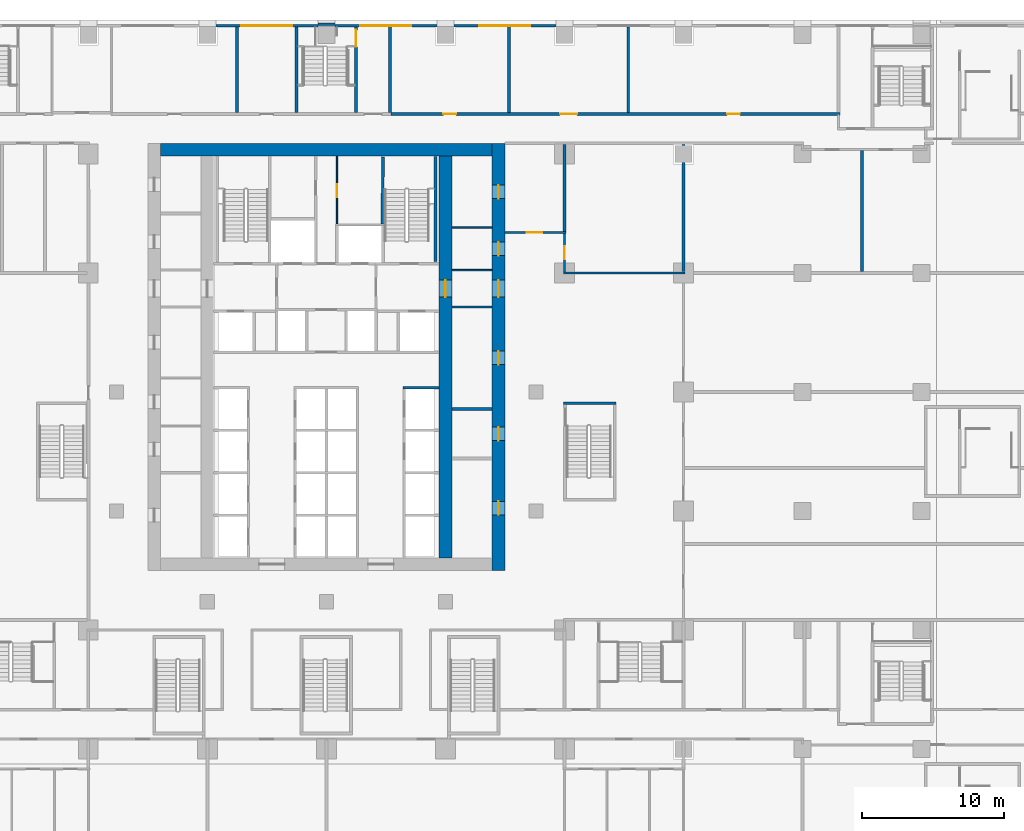
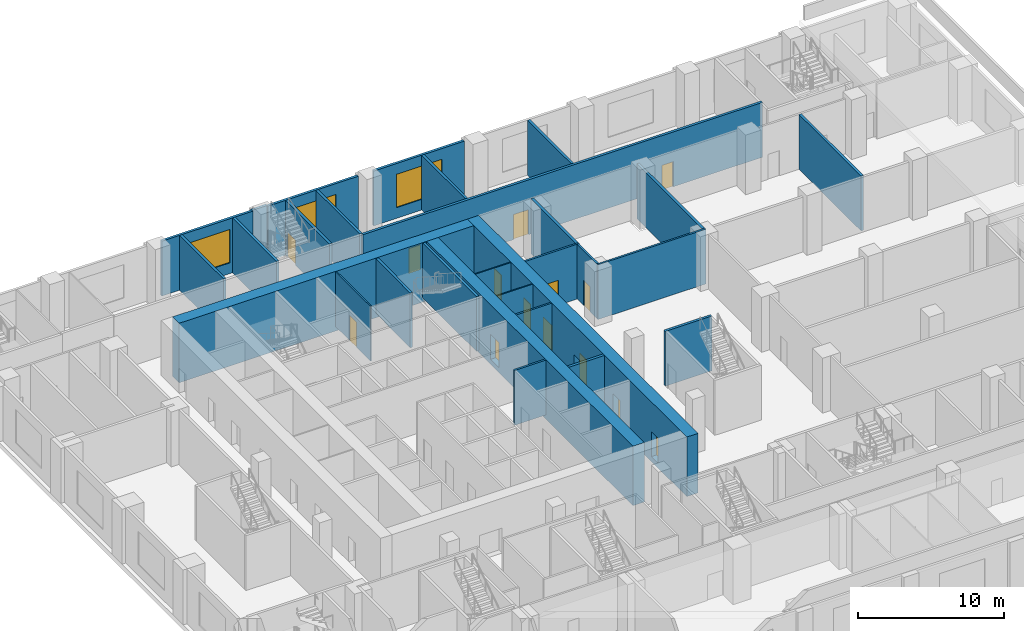
# One storey, part 9 of 23: 29 walls, 14 doors, 3 windows, 17 openings.
"""IFC4 building model written with IfcOpenShell, lengths in metres."""

from ifc_helpers import new_model, si_unit, direction, frame, frame_2d, origin, place, context, subcontext, project, spatial, rectangle, extrude, material, layer, layer_set, type_object, element, fill, save


model = new_model("IFC4")

# Units and contexts
model_context = context("Model", 3, precision=1e-05, world=origin(), true_north=direction((0.0, 1.0)))
body_context = subcontext(model_context, "Body", "Model", "MODEL_VIEW")
ifc_project = project(units=[si_unit("LENGTHUNIT", "METRE"), si_unit("AREAUNIT", "SQUARE_METRE"), si_unit("VOLUMEUNIT", "CUBIC_METRE"), si_unit("PLANEANGLEUNIT", "RADIAN"), si_unit("MASSUNIT", "GRAM", prefix="KILO")], contexts=[model_context])

# Site, building, storey
site_placement = place(None, origin())
site = spatial("IfcSite", under=ifc_project, at=site_placement, CompositionType="ELEMENT")
building_placement = place(site_placement, origin())
building = spatial("IfcBuilding", under=site, at=building_placement, Name="Vermilion Ogive Tower", CompositionType="ELEMENT")
storey_placement = place(building_placement, frame((0.0, 0.0, 20.0)))
storey = spatial("IfcBuildingStorey", under=building, at=storey_placement, Name="L03", CompositionType="ELEMENT", Elevation=20.0)

# Wall, openings, doors
ifc_material_1 = material(Name="Concrete B80", Category="concrete")
ifc_layer_1 = layer(ifc_material_1, 0.89990234375)
ifc_layer_set_1 = layer_set([ifc_layer_1], Name="Core wall 900 B80")
wall_type_1 = type_object("IfcWallType", Name="Core wall 900 B80", PredefinedType="SHEAR", material=ifc_layer_set_1)
wall_1_placement = place(storey_placement, frame((12.14990234375, -8.39990234375, -0.39990234375), z_axis=(0.0, 0.0, 1.0), x_axis=(0.0, 1.0, 0.0)))
wall_1 = element("IfcWall", 1, at=wall_1_placement, inside=storey, type_object=wall_type_1, Name="L03-CORE-E", PredefinedType="SHEAR", context=body_context, shape_type="SweptSolid", body=[
    extrude(rectangle(XDim=30.14990234375, YDim=0.89990234375, at=frame_2d((15.074951171875, 0.0))), origin(), (0.0, 0.0, 1.0), 5.0),
])
opening_1_placement = place(wall_1_placement, frame((3.925048828125, 0.0, 0.39990234375)))
opening_1 = element("IfcOpeningElement", 2, at=opening_1_placement, cuts=wall_1, Name="Opening DAJ018", PredefinedType="OPENING", context=body_context, shape_type="SweptSolid", body=[
    extrude(rectangle(XDim=0.949951171875, YDim=2.10009765625, at=frame_2d((0.47509765625, 1.050048828125))), frame((0.0, 0.4599609375, 0.0), z_axis=(0.0, -1.0, 0.0), x_axis=(1.0, 0.0, 0.0)), (0.0, 0.0, 1.0), 0.919921875),
])
opening_2_placement = place(wall_1_placement, frame((9.175048828125, 0.0, 0.39990234375)))
opening_2 = element("IfcOpeningElement", 3, at=opening_2_placement, cuts=wall_1, Name="Opening DAJ019", PredefinedType="OPENING", context=body_context, shape_type="SweptSolid", body=[
    extrude(rectangle(XDim=0.949951171875, YDim=2.10009765625, at=frame_2d((0.47509765625, 1.050048828125))), frame((0.0, 0.4599609375, 0.0), z_axis=(0.0, -1.0, 0.0), x_axis=(1.0, 0.0, 0.0)), (0.0, 0.0, 1.0), 0.919921875),
])
opening_3_placement = place(wall_1_placement, frame((14.52490234375, 0.0, 0.39990234375)))
opening_3 = element("IfcOpeningElement", 4, at=opening_3_placement, cuts=wall_1, Name="Opening DAJ020", PredefinedType="OPENING", context=body_context, shape_type="SweptSolid", body=[
    extrude(rectangle(XDim=0.949951171875, YDim=2.10009765625, at=frame_2d((0.47509765625, 1.050048828125))), frame((0.0, 0.4599609375, 0.0), z_axis=(0.0, -1.0, 0.0), x_axis=(1.0, 0.0, 0.0)), (0.0, 0.0, 1.0), 0.919921875),
])
opening_4_placement = place(wall_1_placement, frame((22.22509765625, 0.0, 0.39990234375)))
opening_4 = element("IfcOpeningElement", 5, at=opening_4_placement, cuts=wall_1, Name="Opening DAJ021", PredefinedType="OPENING", context=body_context, shape_type="SweptSolid", body=[
    extrude(rectangle(XDim=0.949951171875, YDim=2.10009765625, at=frame_2d((0.47509765625, 1.050048828125))), frame((0.0, 0.4599609375, 0.0), z_axis=(0.0, -1.0, 0.0), x_axis=(1.0, 0.0, 0.0)), (0.0, 0.0, 1.0), 0.919921875),
])
opening_5_placement = place(wall_1_placement, frame((26.25, 0.0, 0.39990234375)))
opening_5 = element("IfcOpeningElement", 6, at=opening_5_placement, cuts=wall_1, Name="Opening DAJ022", PredefinedType="OPENING", context=body_context, shape_type="SweptSolid", body=[
    extrude(rectangle(XDim=0.949951171875, YDim=2.10009765625, at=frame_2d((0.47509765625, 1.050048828125))), frame((0.0, 0.4599609375, 0.0), z_axis=(0.0, -1.0, 0.0), x_axis=(1.0, 0.0, 0.0)), (0.0, 0.0, 1.0), 0.919921875),
])
opening_6_placement = place(wall_1_placement, frame((19.300048828125, 0.0, 0.39990234375)))
opening_6 = element("IfcOpeningElement", 7, at=opening_6_placement, cuts=wall_1, Name="Opening DBA004", PredefinedType="OPENING", context=body_context, shape_type="SweptSolid", body=[
    extrude(rectangle(XDim=1.199951171875, YDim=2.10009765625, at=frame_2d((0.60009765625, 1.050048828125))), frame((0.0, 0.4599609375, 0.0), z_axis=(0.0, -1.0, 0.0), x_axis=(1.0, 0.0, 0.0)), (0.0, 0.0, 1.0), 0.919921875),
])
ifc_material_2 = material(Name="Timber door leaf", Category="wood")
door_type_1 = type_object("IfcDoorType", Name="Link door 1200 x 2100 FD60S", OperationType="SINGLE_SWING_LEFT", PredefinedType="DOOR", material=ifc_material_2)
door_1_placement = place(opening_6_placement, origin())
door_1 = element("IfcDoor", 8, at=door_1_placement, inside=storey, type_object=door_type_1, Name="L03-CKE-XL", OperationType="SINGLE_SWING_LEFT", OverallHeight=2.10009765625, OverallWidth=1.199951171875, PredefinedType="DOOR", context=body_context, shape_type="SweptSolid", body=[
    extrude(rectangle(XDim=1.199951171875, YDim=2.10009765625, at=frame_2d((0.60009765625, 1.050048828125))), frame((0.0, 0.02490234375, 0.0), z_axis=(0.0, -1.0, 0.0), x_axis=(1.0, 0.0, 0.0)), (0.0, 0.0, 1.0), 0.050048828125),
])
fill(opening_6, door_1)
ifc_material_3 = material(Name="Timber door leaf", Category="wood")
door_type_2 = type_object("IfcDoorType", Name="Service door 950 x 2100 FD60", OperationType="SINGLE_SWING_LEFT", PredefinedType="DOOR", material=ifc_material_3)
door_2_placement = place(opening_1_placement, origin())
door_2 = element("IfcDoor", 9, at=door_2_placement, inside=storey, type_object=door_type_2, Name="L03-CKE-XR0", OperationType="SINGLE_SWING_LEFT", OverallHeight=2.10009765625, OverallWidth=0.949951171875, PredefinedType="DOOR", context=body_context, shape_type="SweptSolid", body=[
    extrude(rectangle(XDim=0.949951171875, YDim=2.10009765625, at=frame_2d((0.47509765625, 1.050048828125))), frame((0.0, 0.02490234375, 0.0), z_axis=(0.0, -1.0, 0.0), x_axis=(1.0, 0.0, 0.0)), (0.0, 0.0, 1.0), 0.050048828125),
])
fill(opening_1, door_2)
door_3_placement = place(opening_2_placement, origin())
door_3 = element("IfcDoor", 10, at=door_3_placement, inside=storey, type_object=door_type_2, Name="L03-CKE-XR1", OperationType="SINGLE_SWING_LEFT", OverallHeight=2.10009765625, OverallWidth=0.949951171875, PredefinedType="DOOR", context=body_context, shape_type="SweptSolid", body=[
    extrude(rectangle(XDim=0.949951171875, YDim=2.10009765625, at=frame_2d((0.47509765625, 1.050048828125))), frame((0.0, 0.02490234375, 0.0), z_axis=(0.0, -1.0, 0.0), x_axis=(1.0, 0.0, 0.0)), (0.0, 0.0, 1.0), 0.050048828125),
])
fill(opening_2, door_3)
door_4_placement = place(opening_3_placement, origin())
door_4 = element("IfcDoor", 11, at=door_4_placement, inside=storey, type_object=door_type_2, Name="L03-CKE-XR2", OperationType="SINGLE_SWING_LEFT", OverallHeight=2.10009765625, OverallWidth=0.949951171875, PredefinedType="DOOR", context=body_context, shape_type="SweptSolid", body=[
    extrude(rectangle(XDim=0.949951171875, YDim=2.10009765625, at=frame_2d((0.47509765625, 1.050048828125))), frame((0.0, 0.02490234375, 0.0), z_axis=(0.0, -1.0, 0.0), x_axis=(1.0, 0.0, 0.0)), (0.0, 0.0, 1.0), 0.050048828125),
])
fill(opening_3, door_4)
door_5_placement = place(opening_4_placement, origin())
door_5 = element("IfcDoor", 12, at=door_5_placement, inside=storey, type_object=door_type_2, Name="L03-CKE-XR3", OperationType="SINGLE_SWING_LEFT", OverallHeight=2.10009765625, OverallWidth=0.949951171875, PredefinedType="DOOR", context=body_context, shape_type="SweptSolid", body=[
    extrude(rectangle(XDim=0.949951171875, YDim=2.10009765625, at=frame_2d((0.47509765625, 1.050048828125))), frame((0.0, 0.02490234375, 0.0), z_axis=(0.0, -1.0, 0.0), x_axis=(1.0, 0.0, 0.0)), (0.0, 0.0, 1.0), 0.050048828125),
])
fill(opening_4, door_5)
door_6_placement = place(opening_5_placement, origin())
door_6 = element("IfcDoor", 13, at=door_6_placement, inside=storey, type_object=door_type_2, Name="L03-CKE-XR4", OperationType="SINGLE_SWING_LEFT", OverallHeight=2.10009765625, OverallWidth=0.949951171875, PredefinedType="DOOR", context=body_context, shape_type="SweptSolid", body=[
    extrude(rectangle(XDim=0.949951171875, YDim=2.10009765625, at=frame_2d((0.47509765625, 1.050048828125))), frame((0.0, 0.02490234375, 0.0), z_axis=(0.0, -1.0, 0.0), x_axis=(1.0, 0.0, 0.0)), (0.0, 0.0, 1.0), 0.050048828125),
])
fill(opening_5, door_6)

# Wall, opening, door
wall_2_placement = place(storey_placement, frame((8.39990234375, -7.5, -0.39990234375), z_axis=(0.0, 0.0, 1.0), x_axis=(0.0, 1.0, 0.0)))
wall_2 = element("IfcWall", 14, at=wall_2_placement, inside=storey, type_object=wall_type_1, Name="L03-CORE-WEB2", PredefinedType="SHEAR", context=body_context, shape_type="SweptSolid", body=[
    extrude(rectangle(XDim=28.35009765625, YDim=0.89990234375, at=frame_2d((14.175048828125, 0.0))), origin(), (0.0, 0.0, 1.0), 5.0),
])
opening_7_placement = place(wall_2_placement, frame((18.39990234375, 0.0, 0.39990234375)))
opening_7 = element("IfcOpeningElement", 15, at=opening_7_placement, cuts=wall_2, Name="Opening DBC004", PredefinedType="OPENING", context=body_context, shape_type="SweptSolid", body=[
    extrude(rectangle(XDim=1.199951171875, YDim=2.10009765625, at=frame_2d((0.60009765625, 1.050048828125))), frame((0.0, 0.4599609375, 0.0), z_axis=(0.0, -1.0, 0.0), x_axis=(1.0, 0.0, 0.0)), (0.0, 0.0, 1.0), 0.919921875),
])
door_7_placement = place(opening_7_placement, origin())
door_7 = element("IfcDoor", 16, at=door_7_placement, inside=storey, type_object=door_type_1, Name="L03-CKE-XW", OperationType="SINGLE_SWING_LEFT", OverallHeight=2.10009765625, OverallWidth=1.199951171875, PredefinedType="DOOR", context=body_context, shape_type="SweptSolid", body=[
    extrude(rectangle(XDim=1.199951171875, YDim=2.10009765625, at=frame_2d((0.60009765625, 1.050048828125))), frame((0.0, 0.02490234375, 0.0), z_axis=(0.0, -1.0, 0.0), x_axis=(1.0, 0.0, 0.0)), (0.0, 0.0, 1.0), 0.050048828125),
])
fill(opening_7, door_7)

ifc_material_4 = material(Name="Gypsum board partition on steel studs", Category="steel")
ifc_layer_2 = layer(ifc_material_4, 0.10009765625)
ifc_layer_set_2 = layer_set([ifc_layer_2], Name="Partition 100 bath")
wall_type_2 = type_object("IfcWallType", Name="Partition 100 bath", PredefinedType="PARTITIONING", material=ifc_layer_set_2)
wall_3_placement = place(storey_placement, frame((0.75, 16.050048828125, 0.0), z_axis=(0.0, 0.0, 1.0), x_axis=(0.0, 1.0, 0.0)))
wall_3 = element("IfcWall", 17, at=wall_3_placement, inside=storey, type_object=wall_type_2, Name="L03-CK-W-W032", PredefinedType="PARTITIONING", context=body_context, shape_type="SweptSolid", body=[
    extrude(rectangle(XDim=4.799072265625, YDim=0.10009765625, at=frame_2d((2.3994140625, 0.0))), origin(), (0.0, 0.0, 1.0), 4.60009765625),
])
opening_8_placement = place(wall_3_placement, frame((1.875, 0.0, 0.0)))
opening_8 = element("IfcOpeningElement", 18, at=opening_8_placement, cuts=wall_3, Name="Opening DAB084", PredefinedType="OPENING", context=body_context, shape_type="SweptSolid", body=[
    extrude(rectangle(XDim=0.949951171875, YDim=2.10009765625, at=frame_2d((0.47509765625, 1.050048828125))), frame((0.0, 0.06005859375, 0.0), z_axis=(0.0, -1.0, 0.0), x_axis=(1.0, 0.0, 0.0)), (0.0, 0.0, 1.0), 0.1201171875),
])
door_8_placement = place(opening_8_placement, origin())
door_8 = element("IfcDoor", 19, at=door_8_placement, inside=storey, type_object=door_type_2, Name="L03-CK-D-D021", OperationType="SINGLE_SWING_LEFT", OverallHeight=2.10009765625, OverallWidth=0.949951171875, PredefinedType="DOOR", context=body_context, shape_type="SweptSolid", body=[
    extrude(rectangle(XDim=0.949951171875, YDim=2.10009765625, at=frame_2d((0.47509765625, 1.050048828125))), frame((0.0, 0.02490234375, 0.0), z_axis=(0.0, -1.0, 0.0), x_axis=(1.0, 0.0, 0.0)), (0.0, 0.0, 1.0), 0.050048828125),
])
fill(opening_8, door_8)

# Walls
for number, where, z_axis, x_axis, name in (
    (20, (8.85107421875, 12.800048828125, 0.0), (0.0, 0.0, 1.0), (1.0, 0.0, 0.0), "L03-CKE-W-W004"),
    (21, (8.85107421875, 15.800048828125, 0.0), (0.0, 0.0, 1.0), (1.0, 0.0, 0.0), "L03-CKE-W-W005"),
):
    element("IfcWall", number, at=place(storey_placement, frame(where, z_axis=z_axis, x_axis=x_axis)), inside=storey, type_object=wall_type_2, Name=name, PredefinedType="PARTITIONING", context=body_context, shape_type="SweptSolid", body=[
        extrude(rectangle(XDim=2.847900390625, YDim=0.10009765625, at=frame_2d((1.423828125, 0.0))), origin(), (0.0, 0.0, 1.0), 4.60009765625),
    ])
ifc_material_5 = material(Name="Gypsum board partition on steel studs", Category="steel")
ifc_layer_3 = layer(ifc_material_5, 0.14990234375)
ifc_layer_set_3 = layer_set([ifc_layer_3], Name="Partition 150 corridor")
wall_type_3 = type_object("IfcWallType", Name="Partition 150 corridor", PredefinedType="PARTITIONING", material=ifc_layer_set_3)
wall_4_placement = place(storey_placement, frame((16.72509765625, 12.60009765625, 0.0), z_axis=(0.0, 0.0, 1.0), x_axis=(1.0, 0.0, 0.0)))
element("IfcWall", 22, at=wall_4_placement, inside=storey, type_object=wall_type_3, Name="L03-FS-W-W029", PredefinedType="PARTITIONING", context=body_context, shape_type="SweptSolid", body=[
    extrude(rectangle(XDim=8.574951171875, YDim=0.14990234375, at=frame_2d((4.28759765625, 0.0))), origin(), (0.0, 0.0, 1.0), 4.60009765625),
])

# Wall, opening, door
wall_5_placement = place(storey_placement, frame((12.60107421875, 15.449951171875, 0.0), z_axis=(0.0, 0.0, 1.0), x_axis=(1.0, 0.0, 0.0)))
wall_5 = element("IfcWall", 23, at=wall_5_placement, inside=storey, type_object=wall_type_3, Name="L03-FS-W-W031", PredefinedType="PARTITIONING", context=body_context, shape_type="SweptSolid", body=[
    extrude(rectangle(XDim=4.298828125, YDim=0.14990234375, at=frame_2d((2.1494140625, 0.0))), origin(), (0.0, 0.0, 1.0), 4.60009765625),
])
opening_9_placement = place(wall_5_placement, frame((1.549072265625, 0.0, 0.0)))
opening_9 = element("IfcOpeningElement", 24, at=opening_9_placement, cuts=wall_5, Name="Opening L03S017", PredefinedType="OPENING", context=body_context, shape_type="SweptSolid", body=[
    extrude(rectangle(XDim=1.10009765625, YDim=2.10009765625, at=frame_2d((0.550048828125, 1.050048828125))), frame((0.0, 0.0849609375, 0.0), z_axis=(0.0, -1.0, 0.0), x_axis=(1.0, 0.0, 0.0)), (0.0, 0.0, 1.0), 0.169921875),
])
ifc_material_6 = material(Name="Timber door leaf", Category="wood")
door_type_3 = type_object("IfcDoorType", Name="Fire door 1100 x 2100 FD30", OperationType="SINGLE_SWING_LEFT", PredefinedType="DOOR", material=ifc_material_6)
door_9_placement = place(opening_9_placement, origin())
door_9 = element("IfcDoor", 25, at=door_9_placement, inside=storey, type_object=door_type_3, Name="L03-FS-D-D017", OperationType="SINGLE_SWING_LEFT", OverallHeight=2.10009765625, OverallWidth=1.10009765625, PredefinedType="DOOR", context=body_context, shape_type="SweptSolid", body=[
    extrude(rectangle(XDim=1.10009765625, YDim=2.10009765625, at=frame_2d((0.550048828125, 1.050048828125))), frame((0.0, 0.02490234375, 0.0), z_axis=(0.0, -1.0, 0.0), x_axis=(1.0, 0.0, 0.0)), (0.0, 0.0, 1.0), 0.050048828125),
])
fill(opening_9, door_9)

wall_6_placement = place(storey_placement, frame((16.800048828125, 12.675048828125, 0.0), z_axis=(0.0, 0.0, 1.0), x_axis=(0.0, 1.0, 0.0)))
wall_6 = element("IfcWall", 26, at=wall_6_placement, inside=storey, type_object=wall_type_3, Name="L03-FS-W-W070", PredefinedType="PARTITIONING", context=body_context, shape_type="SweptSolid", body=[
    extrude(rectangle(XDim=2.699951171875, YDim=0.14990234375, at=frame_2d((1.35009765625, 0.0))), origin(), (0.0, 0.0, 1.0), 4.60009765625),
])
opening_10_placement = place(wall_6_placement, frame((0.89990234375, 0.0, 0.0)))
opening_10 = element("IfcOpeningElement", 27, at=opening_10_placement, cuts=wall_6, Name="Opening L03S033", PredefinedType="OPENING", context=body_context, shape_type="SweptSolid", body=[
    extrude(rectangle(XDim=0.89990234375, YDim=2.10009765625, at=frame_2d((0.449951171875, 1.050048828125))), frame((0.0, 0.0849609375, 0.0), z_axis=(0.0, -1.0, 0.0), x_axis=(1.0, 0.0, 0.0)), (0.0, 0.0, 1.0), 0.169921875),
])
ifc_material_7 = material(Name="Timber door leaf", Category="wood")
door_type_4 = type_object("IfcDoorType", Name="Room door 900 x 2100 FD30", OperationType="SINGLE_SWING_LEFT", PredefinedType="DOOR", material=ifc_material_7)
door_10_placement = place(opening_10_placement, origin())
door_10 = element("IfcDoor", 28, at=door_10_placement, inside=storey, type_object=door_type_4, Name="L03-FS-D-D033", OperationType="SINGLE_SWING_RIGHT", OverallHeight=2.10009765625, OverallWidth=0.89990234375, PredefinedType="DOOR", context=body_context, shape_type="SweptSolid", body=[
    extrude(rectangle(XDim=0.89990234375, YDim=2.10009765625, at=frame_2d((0.449951171875, 1.050048828125))), frame((0.0, 0.02490234375, 0.0), z_axis=(0.0, -1.0, 0.0), x_axis=(1.0, 0.0, 0.0)), (0.0, 0.0, 1.0), 0.050048828125),
])
fill(opening_10, door_10)

# Walls
wall_7_placement = place(storey_placement, frame((5.425048828125, 4.5, 0.0), z_axis=(0.0, 0.0, 1.0), x_axis=(1.0, 0.0, 0.0)))
element("IfcWall", 29, at=wall_7_placement, inside=storey, type_object=wall_type_3, Name="L03-CK-W-W012", PredefinedType="PARTITIONING", context=body_context, shape_type="SweptSolid", body=[
    extrude(rectangle(XDim=2.52392578125, YDim=0.14990234375, at=frame_2d((1.261962890625, 0.0))), origin(), (0.0, 0.0, 1.0), 4.60009765625),
])
wall_8_placement = place(storey_placement, frame((8.85107421875, 10.199951171875, 0.0), z_axis=(0.0, 0.0, 1.0), x_axis=(1.0, 0.0, 0.0)))
element("IfcWall", 30, at=wall_8_placement, inside=storey, type_object=wall_type_3, Name="L03-CKE-W-W003", PredefinedType="PARTITIONING", context=body_context, shape_type="SweptSolid", body=[
    extrude(rectangle(XDim=2.847900390625, YDim=0.14990234375, at=frame_2d((1.423828125, 0.0))), origin(), (0.0, 0.0, 1.0), 4.60009765625),
])
ifc_material_8 = material(Name="Gypsum board partition on steel studs", Category="steel")
ifc_layer_4 = layer(ifc_material_8, 0.199951171875)
ifc_layer_set_4 = layer_set([ifc_layer_4], Name="Partition 200 party")
wall_type_4 = type_object("IfcWallType", Name="Partition 200 party", PredefinedType="PARTITIONING", material=ifc_layer_set_4)
for number, where, z_axis, x_axis, name in (
    (31, (-6.300048828125, 23.925048828125, 0.0), (0.0, 0.0, 1.0), (0.0, 1.0, 0.0), "L03-FS-W-W057"),
    (32, (4.5, 23.925048828125, 0.0), (0.0, 0.0, 1.0), (0.0, 1.0, 0.0), "L03-FS-W-W062"),
    (33, (12.89990234375, 23.925048828125, 0.0), (0.0, 0.0, 1.0), (0.0, 1.0, 0.0), "L03-FS-W-W065"),
):
    element("IfcWall", number, at=place(storey_placement, frame(where, z_axis=z_axis, x_axis=x_axis)), inside=storey, type_object=wall_type_4, Name=name, PredefinedType="PARTITIONING", context=body_context, shape_type="SweptSolid", body=[
        extrude(rectangle(XDim=6.02490234375, YDim=0.199951171875, at=frame_2d((3.012451171875, 0.0))), origin(), (0.0, 0.0, 1.0), 4.60009765625),
    ])
wall_9_placement = place(storey_placement, frame((16.800048828125, 15.52490234375, 0.0), z_axis=(0.0, 0.0, 1.0), x_axis=(0.0, 1.0, 0.0)))
element("IfcWall", 34, at=wall_9_placement, inside=storey, type_object=wall_type_4, Name="L03-FS-W-W071", PredefinedType="PARTITIONING", context=body_context, shape_type="SweptSolid", body=[
    extrude(rectangle(XDim=6.150146484375, YDim=0.199951171875, at=frame_2d((3.0751953125, 0.0))), origin(), (0.0, 0.0, 1.0), 4.60009765625),
])
wall_10_placement = place(storey_placement, frame((21.300048828125, 23.925048828125, 0.0), z_axis=(0.0, 0.0, 1.0), x_axis=(0.0, 1.0, 0.0)))
element("IfcWall", 35, at=wall_10_placement, inside=storey, type_object=wall_type_4, Name="L03-FS-W-W074", PredefinedType="PARTITIONING", context=body_context, shape_type="SweptSolid", body=[
    extrude(rectangle(XDim=6.02490234375, YDim=0.199951171875, at=frame_2d((3.012451171875, 0.0))), origin(), (0.0, 0.0, 1.0), 4.60009765625),
])
wall_11_placement = place(storey_placement, frame((25.199951171875, 12.699951171875, 0.0), z_axis=(0.0, 0.0, 1.0), x_axis=(0.0, 1.0, 0.0)))
element("IfcWall", 36, at=wall_11_placement, inside=storey, type_object=wall_type_4, Name="L03-FS-W-W080", PredefinedType="PARTITIONING", context=body_context, shape_type="SweptSolid", body=[
    extrude(rectangle(XDim=8.97509765625, YDim=0.199951171875, at=frame_2d((4.487548828125, 0.0))), origin(), (0.0, 0.0, 1.0), 4.60009765625),
])
wall_12_placement = place(storey_placement, frame((37.800048828125, 12.699951171875, 0.0), z_axis=(0.0, 0.0, 1.0), x_axis=(0.0, 1.0, 0.0)))
element("IfcWall", 37, at=wall_12_placement, inside=storey, type_object=wall_type_4, Name="L03-FS-W-W090", PredefinedType="PARTITIONING", context=body_context, shape_type="SweptSolid", body=[
    extrude(rectangle(XDim=8.525146484375, YDim=0.199951171875, at=frame_2d((4.2626953125, 0.0))), origin(), (0.0, 0.0, 1.0), 4.60009765625),
])
wall_13_placement = place(storey_placement, frame((8.85107421875, 3.0, 0.0), z_axis=(0.0, 0.0, 1.0), x_axis=(1.0, 0.0, 0.0)))
element("IfcWall", 38, at=wall_13_placement, inside=storey, type_object=wall_type_4, Name="L03-CKE-W-W002", PredefinedType="PARTITIONING", context=body_context, shape_type="SweptSolid", body=[
    extrude(rectangle(XDim=2.847900390625, YDim=0.199951171875, at=frame_2d((1.423828125, 0.0))), origin(), (0.0, 0.0, 1.0), 4.60009765625),
])
ifc_material_9 = material(Name="Concrete B60", Category="concrete")
ifc_layer_5 = layer(ifc_material_9, 0.199951171875)
ifc_layer_set_5 = layer_set([ifc_layer_5], Name="Stair shaft wall 200 Concrete B60")
wall_type_5 = type_object("IfcWallType", Name="Stair shaft wall 200 Concrete B60", PredefinedType="SOLIDWALL", material=ifc_layer_set_5)
wall_14_placement = place(storey_placement, frame((-11.699951171875, 21.300048828125, -0.39990234375), z_axis=(0.0, 0.0, 1.0), x_axis=(1.0, 0.0, 0.0)))
element("IfcWall", 39, at=wall_14_placement, inside=storey, type_object=wall_type_5, Name="L03-CORE-N", PredefinedType="SOLIDWALL", context=body_context, shape_type="SweptSolid", body=[
    extrude(rectangle(XDim=23.39990234375, YDim=0.89990234375, at=frame_2d((11.699951171875, 0.0))), origin(), (0.0, 0.0, 1.0), 5.0),
])

# Wall, opening, door
wall_15_placement = place(storey_placement, frame((2.10009765625, 23.925048828125, 0.0), z_axis=(0.0, 0.0, 1.0), x_axis=(0.0, 1.0, 0.0)))
wall_15 = element("IfcWall", 40, at=wall_15_placement, inside=storey, type_object=wall_type_5, Name="L03-FS-W-W061", PredefinedType="SOLIDWALL", context=body_context, shape_type="SweptSolid", body=[
    extrude(rectangle(XDim=6.02490234375, YDim=0.199951171875, at=frame_2d((3.012451171875, 0.0))), origin(), (0.0, 0.0, 1.0), 4.60009765625),
])
opening_11_placement = place(wall_15_placement, frame((4.625, 0.0, 0.0)))
opening_11 = element("IfcOpeningElement", 41, at=opening_11_placement, cuts=wall_15, Name="Opening L03S005", PredefinedType="OPENING", context=body_context, shape_type="SweptSolid", body=[
    extrude(rectangle(XDim=1.199951171875, YDim=2.10009765625, at=frame_2d((0.60009765625, 1.050048828125))), frame((0.0, 0.10986328125, 0.0), z_axis=(0.0, -1.0, 0.0), x_axis=(1.0, 0.0, 0.0)), (0.0, 0.0, 1.0), 0.219970703125),
])
ifc_material_10 = material(Name="Timber door leaf", Category="wood")
door_type_5 = type_object("IfcDoorType", Name="Stair door 1200 x 2100 FD60S", OperationType="SINGLE_SWING_LEFT", PredefinedType="DOOR", material=ifc_material_10)
door_11_placement = place(opening_11_placement, origin())
door_11 = element("IfcDoor", 42, at=door_11_placement, inside=storey, type_object=door_type_5, Name="L03-FS-D-D005", OperationType="DOUBLE_DOOR_SINGLE_SWING", OverallHeight=2.10009765625, OverallWidth=1.199951171875, PredefinedType="DOOR", context=body_context, shape_type="SweptSolid", body=[
    extrude(rectangle(XDim=1.199951171875, YDim=2.10009765625, at=frame_2d((0.60009765625, 1.050048828125))), frame((0.0, 0.02490234375, 0.0), z_axis=(0.0, -1.0, 0.0), x_axis=(1.0, 0.0, 0.0)), (0.0, 0.0, 1.0), 0.050048828125),
])
fill(opening_11, door_11)

# Wall, opening, window
wall_16_placement = place(storey_placement, frame((0.60009765625, 30.050048828125, 0.0), z_axis=(0.0, 0.0, 1.0), x_axis=(1.0, 0.0, 0.0)))
wall_16 = element("IfcWall", 43, at=wall_16_placement, inside=storey, type_object=wall_type_5, Name="Window wall N6", PredefinedType="SOLIDWALL", context=body_context, shape_type="SweptSolid", body=[
    extrude(rectangle(XDim=7.199951171875, YDim=0.199951171875, at=frame_2d((3.60009765625, 0.0))), origin(), (0.0, 0.0, 1.0), 4.60009765625),
])
opening_12_placement = place(wall_16_placement, frame((1.800048828125, 0.0, 0.89990234375)))
opening_12 = element("IfcOpeningElement", 44, at=opening_12_placement, cuts=wall_16, Name="Opening P-N6", PredefinedType="OPENING", context=body_context, shape_type="SweptSolid", body=[
    extrude(rectangle(XDim=3.60009765625, YDim=2.800048828125, at=frame_2d((1.800048828125, 1.39990234375))), frame((0.0, 0.10986328125, 0.0), z_axis=(0.0, -1.0, 0.0), x_axis=(1.0, 0.0, 0.0)), (0.0, 0.0, 1.0), 0.219970703125),
])
ifc_material_11 = material(Name="Aluminium framed double glazing", Category="aluminium")
window_type = type_object("IfcWindowType", Name="Podium window P 3600x2800 sill 900", PartitioningType="SINGLE_PANEL", PredefinedType="WINDOW", material=ifc_material_11)
window_1_placement = place(opening_12_placement, origin())
window_1 = element("IfcWindow", 45, at=window_1_placement, inside=storey, type_object=window_type, Name="Window N6", OverallHeight=2.800048828125, OverallWidth=3.60009765625, PartitioningType="SINGLE_PANEL", PredefinedType="WINDOW", context=body_context, shape_type="SweptSolid", body=[
    extrude(rectangle(XDim=3.60009765625, YDim=2.800048828125, at=frame_2d((1.800048828125, 1.39990234375))), frame((0.0, 0.030029296875, 0.0), z_axis=(0.0, -1.0, 0.0), x_axis=(1.0, 0.0, 0.0)), (0.0, 0.0, 1.0), 0.06005859375),
])
fill(opening_12, window_1)

wall_17_placement = place(storey_placement, frame((-7.800048828125, 30.050048828125, 0.0), z_axis=(0.0, 0.0, 1.0), x_axis=(1.0, 0.0, 0.0)))
wall_17 = element("IfcWall", 46, at=wall_17_placement, inside=storey, type_object=wall_type_5, Name="Window wall N7", PredefinedType="SOLIDWALL", context=body_context, shape_type="SweptSolid", body=[
    extrude(rectangle(XDim=7.199951171875, YDim=0.199951171875, at=frame_2d((3.60009765625, 0.0))), origin(), (0.0, 0.0, 1.0), 4.60009765625),
])
opening_13_placement = place(wall_17_placement, frame((1.800048828125, 0.0, 0.89990234375)))
opening_13 = element("IfcOpeningElement", 47, at=opening_13_placement, cuts=wall_17, Name="Opening P-N7", PredefinedType="OPENING", context=body_context, shape_type="SweptSolid", body=[
    extrude(rectangle(XDim=3.60009765625, YDim=2.800048828125, at=frame_2d((1.800048828125, 1.39990234375))), frame((0.0, 0.10986328125, 0.0), z_axis=(0.0, -1.0, 0.0), x_axis=(1.0, 0.0, 0.0)), (0.0, 0.0, 1.0), 0.219970703125),
])
window_2_placement = place(opening_13_placement, origin())
window_2 = element("IfcWindow", 48, at=window_2_placement, inside=storey, type_object=window_type, Name="Window N7", OverallHeight=2.800048828125, OverallWidth=3.60009765625, PartitioningType="SINGLE_PANEL", PredefinedType="WINDOW", context=body_context, shape_type="SweptSolid", body=[
    extrude(rectangle(XDim=3.60009765625, YDim=2.800048828125, at=frame_2d((1.800048828125, 1.39990234375))), frame((0.0, 0.030029296875, 0.0), z_axis=(0.0, -1.0, 0.0), x_axis=(1.0, 0.0, 0.0)), (0.0, 0.0, 1.0), 0.06005859375),
])
fill(opening_13, window_2)

# Walls
wall_18_placement = place(storey_placement, frame((3.949951171875, 16.050048828125, 0.0), z_axis=(0.0, 0.0, 1.0), x_axis=(0.010538176883, 0.999944471872, 0.0)))
element("IfcWall", 49, at=wall_18_placement, inside=storey, type_object=wall_type_5, Name="L03-CK-W-W038", PredefinedType="SOLIDWALL", context=body_context, shape_type="SweptSolid", body=[
    extrude(rectangle(XDim=4.749267578125, YDim=0.199951171875, at=frame_2d((2.37451171875, 0.0))), origin(), (0.0, 0.0, 1.0), 4.60009765625),
])
wall_19_placement = place(storey_placement, frame((16.75, 3.39990234375, 0.0), z_axis=(0.0, 0.0, 1.0), x_axis=(1.0, 0.0, 0.0)))
element("IfcWall", 50, at=wall_19_placement, inside=storey, type_object=wall_type_5, Name="L03-SW-ST8-N1", PredefinedType="SOLIDWALL", context=body_context, shape_type="SweptSolid", body=[
    extrude(rectangle(XDim=3.699951171875, YDim=0.199951171875, at=frame_2d((1.85009765625, 0.0))), origin(), (0.0, 0.0, 1.0), 4.60009765625),
])
wall_20_placement = place(storey_placement, frame((-0.60009765625, 30.14990234375, 0.0), z_axis=(0.0, 0.0, 1.0), x_axis=(1.0, 0.0, 0.0)))
element("IfcWall", 51, at=wall_20_placement, inside=storey, type_object=wall_type_5, Name="L03-SW-R009-N1", PredefinedType="SOLIDWALL", context=body_context, shape_type="SweptSolid", body=[
    extrude(rectangle(XDim=1.2001953125, YDim=0.199951171875, at=frame_2d((0.60009765625, 0.0))), origin(), (0.0, 0.0, 1.0), 4.60009765625),
])
wall_21_placement = place(storey_placement, frame((7.699951171875, 13.39990234375, 0.0), z_axis=(0.0, 0.0, 1.0), x_axis=(0.0, 1.0, 0.0)))
element("IfcWall", 52, at=wall_21_placement, inside=storey, type_object=wall_type_5, Name="L03-SW-R026-E1", PredefinedType="SOLIDWALL", context=body_context, shape_type="SweptSolid", body=[
    extrude(rectangle(XDim=7.400146484375, YDim=0.199951171875, at=frame_2d((3.7001953125, 0.0))), origin(), (0.0, 0.0, 1.0), 4.60009765625),
])
wall_22_placement = place(storey_placement, frame((-2.10009765625, 23.925048828125, 0.0), z_axis=(0.0, 0.0, 1.0), x_axis=(0.0, 1.0, 0.0)))
element("IfcWall", 53, at=wall_22_placement, inside=storey, type_object=wall_type_5, Name="L03-FS-W-W059-A", PredefinedType="SOLIDWALL", context=body_context, shape_type="SweptSolid", body=[
    extrude(rectangle(XDim=6.02490234375, YDim=0.199951171875, at=frame_2d((3.012451171875, 0.0))), origin(), (0.0, 0.0, 1.0), 4.60009765625),
])

# Wall, openings, doors
wall_23_placement = place(storey_placement, frame((4.550048828125, 23.8251953125, 0.0), z_axis=(0.0, 0.0, 1.0), x_axis=(1.0, 0.0, 0.0)))
wall_23 = element("IfcWall", 54, at=wall_23_placement, inside=storey, type_object=wall_type_5, Name="L03-FS-W-W041-B", PredefinedType="SOLIDWALL", context=body_context, shape_type="SweptSolid", body=[
    extrude(rectangle(XDim=31.699951171875, YDim=0.199951171875, at=frame_2d((15.85009765625, 0.0))), origin(), (0.0, 0.0, 1.0), 4.60009765625),
])
opening_14_placement = place(wall_23_placement, frame((3.699951171875, 0.0, 0.0)))
opening_14 = element("IfcOpeningElement", 55, at=opening_14_placement, cuts=wall_23, Name="Opening L03S049", PredefinedType="OPENING", context=body_context, shape_type="SweptSolid", body=[
    extrude(rectangle(XDim=0.89990234375, YDim=2.10009765625, at=frame_2d((0.449951171875, 1.050048828125))), frame((0.0, 0.10986328125, 0.0), z_axis=(0.0, -1.0, 0.0), x_axis=(1.0, 0.0, 0.0)), (0.0, 0.0, 1.0), 0.219970703125),
])
opening_15_placement = place(wall_23_placement, frame((11.949951171875, 0.0, 0.0)))
opening_15 = element("IfcOpeningElement", 56, at=opening_15_placement, cuts=wall_23, Name="Opening L03S050", PredefinedType="OPENING", context=body_context, shape_type="SweptSolid", body=[
    extrude(rectangle(XDim=1.199951171875, YDim=2.10009765625, at=frame_2d((0.60009765625, 1.050048828125))), frame((0.0, 0.10986328125, 0.0), z_axis=(0.0, -1.0, 0.0), x_axis=(1.0, 0.0, 0.0)), (0.0, 0.0, 1.0), 0.219970703125),
])
opening_16_placement = place(wall_23_placement, frame((23.724853515625, 0.0, 0.0)))
opening_16 = element("IfcOpeningElement", 57, at=opening_16_placement, cuts=wall_23, Name="Opening L03S051", PredefinedType="OPENING", context=body_context, shape_type="SweptSolid", body=[
    extrude(rectangle(XDim=0.89990234375, YDim=2.10009765625, at=frame_2d((0.449951171875, 1.050048828125))), frame((0.0, 0.10986328125, 0.0), z_axis=(0.0, -1.0, 0.0), x_axis=(1.0, 0.0, 0.0)), (0.0, 0.0, 1.0), 0.219970703125),
])
ifc_material_12 = material(Name="Timber door leaf", Category="wood")
door_type_6 = type_object("IfcDoorType", Name="Room door 1200 x 2100 FD30", OperationType="SINGLE_SWING_LEFT", PredefinedType="DOOR", material=ifc_material_12)
door_12_placement = place(opening_15_placement, origin())
door_12 = element("IfcDoor", 58, at=door_12_placement, inside=storey, type_object=door_type_6, Name="L03-FS-D-D050", OperationType="SINGLE_SWING_RIGHT", OverallHeight=2.10009765625, OverallWidth=1.199951171875, PredefinedType="DOOR", context=body_context, shape_type="SweptSolid", body=[
    extrude(rectangle(XDim=1.199951171875, YDim=2.10009765625, at=frame_2d((0.60009765625, 1.050048828125))), frame((0.0, 0.02490234375, 0.0), z_axis=(0.0, -1.0, 0.0), x_axis=(1.0, 0.0, 0.0)), (0.0, 0.0, 1.0), 0.050048828125),
])
fill(opening_15, door_12)
door_13_placement = place(opening_14_placement, origin())
door_13 = element("IfcDoor", 59, at=door_13_placement, inside=storey, type_object=door_type_4, Name="L03-FS-D-D049", OperationType="SINGLE_SWING_RIGHT", OverallHeight=2.10009765625, OverallWidth=0.89990234375, PredefinedType="DOOR", context=body_context, shape_type="SweptSolid", body=[
    extrude(rectangle(XDim=0.89990234375, YDim=2.10009765625, at=frame_2d((0.449951171875, 1.050048828125))), frame((0.0, 0.02490234375, 0.0), z_axis=(0.0, -1.0, 0.0), x_axis=(1.0, 0.0, 0.0)), (0.0, 0.0, 1.0), 0.050048828125),
])
fill(opening_14, door_13)
door_14_placement = place(opening_16_placement, origin())
door_14 = element("IfcDoor", 60, at=door_14_placement, inside=storey, type_object=door_type_4, Name="L03-FS-D-D051", OperationType="SINGLE_SWING_LEFT", OverallHeight=2.10009765625, OverallWidth=0.89990234375, PredefinedType="DOOR", context=body_context, shape_type="SweptSolid", body=[
    extrude(rectangle(XDim=0.89990234375, YDim=2.10009765625, at=frame_2d((0.449951171875, 1.050048828125))), frame((0.0, 0.02490234375, 0.0), z_axis=(0.0, -1.0, 0.0), x_axis=(1.0, 0.0, 0.0)), (0.0, 0.0, 1.0), 0.050048828125),
])
fill(opening_16, door_14)

# Wall, opening, window
ifc_material_13 = material(Name="Aluminium window wall framing", Category="aluminium")
ifc_layer_6 = layer(ifc_material_13, 0.199951171875)
ifc_layer_set_6 = layer_set([ifc_layer_6], Name="Window wall")
wall_type_6 = type_object("IfcWallType", Name="Window wall", PredefinedType="STANDARD", material=ifc_layer_set_6)
wall_24_placement = place(storey_placement, frame((16.199951171875, 30.050048828125, 0.0), z_axis=(0.0, 0.0, 1.0), x_axis=(-1.0, 0.0, 0.0)))
wall_24 = element("IfcWall", 61, at=wall_24_placement, inside=storey, type_object=wall_type_6, Name="Window wall N5", PredefinedType="STANDARD", context=body_context, shape_type="SweptSolid", body=[
    extrude(rectangle(XDim=7.199951171875, YDim=0.199951171875, at=frame_2d((3.60009765625, 0.0))), origin(), (0.0, 0.0, 1.0), 4.60009765625),
])
opening_17_placement = place(wall_24_placement, frame((1.800048828125, 0.0, 0.89990234375)))
opening_17 = element("IfcOpeningElement", 62, at=opening_17_placement, cuts=wall_24, Name="Opening P-N5", PredefinedType="OPENING", context=body_context, shape_type="SweptSolid", body=[
    extrude(rectangle(XDim=3.60009765625, YDim=2.800048828125, at=frame_2d((1.800048828125, 1.39990234375))), frame((0.0, 0.10986328125, 0.0), z_axis=(0.0, -1.0, 0.0), x_axis=(1.0, 0.0, 0.0)), (0.0, 0.0, 1.0), 0.219970703125),
])
window_3_placement = place(opening_17_placement, origin())
window_3 = element("IfcWindow", 63, at=window_3_placement, inside=storey, type_object=window_type, Name="Window N5", OverallHeight=2.800048828125, OverallWidth=3.60009765625, PartitioningType="SINGLE_PANEL", PredefinedType="WINDOW", context=body_context, shape_type="SweptSolid", body=[
    extrude(rectangle(XDim=3.60009765625, YDim=2.800048828125, at=frame_2d((1.800048828125, 1.39990234375))), frame((0.0, 0.030029296875, 0.0), z_axis=(0.0, -1.0, 0.0), x_axis=(1.0, 0.0, 0.0)), (0.0, 0.0, 1.0), 0.06005859375),
])
fill(opening_17, window_3)

save(model, "model.ifc")
